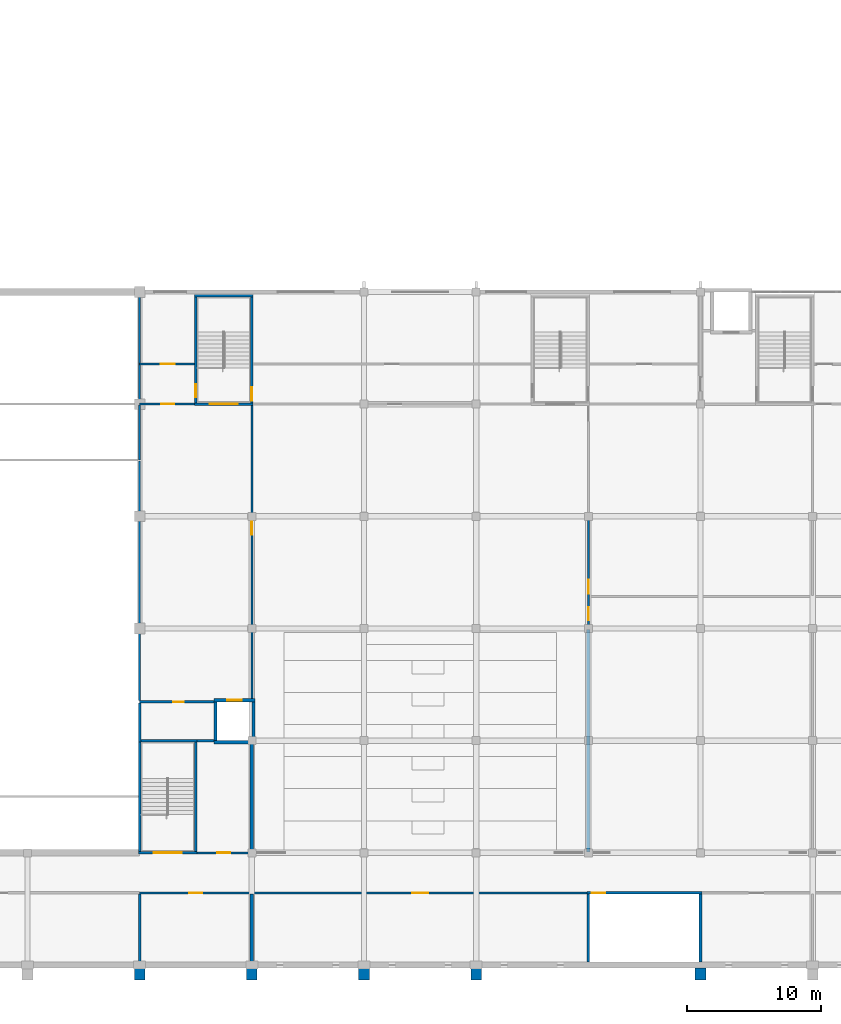
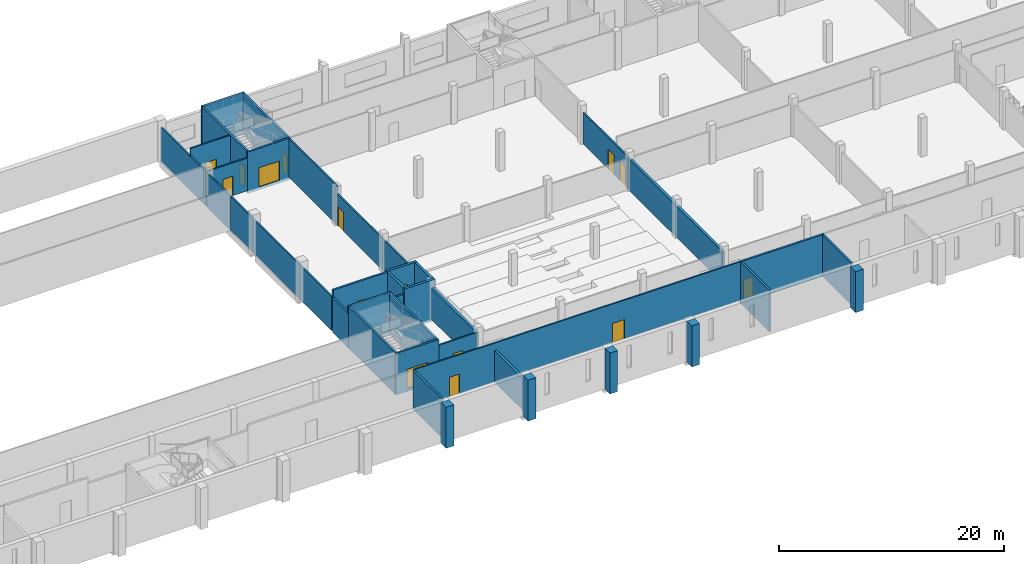
# One storey, part 22 of 56: 37 walls, 15 doors, 15 openings.
"""IFC4 building model written with IfcOpenShell, lengths in metres."""

from ifc_helpers import new_model, si_unit, direction, frame, frame_2d, origin, place, context, subcontext, project, spatial, rectangle, extrude, material, layer, layer_set, type_object, element, fill, save


model = new_model("IFC4")

# Units and contexts
model_context = context("Model", 3, precision=1e-05, world=origin(), true_north=direction((0.0, 1.0)))
body_context = subcontext(model_context, "Body", "Model", "MODEL_VIEW")
ifc_project = project(units=[si_unit("LENGTHUNIT", "METRE"), si_unit("AREAUNIT", "SQUARE_METRE"), si_unit("VOLUMEUNIT", "CUBIC_METRE"), si_unit("PLANEANGLEUNIT", "RADIAN"), si_unit("MASSUNIT", "GRAM", prefix="KILO")], contexts=[model_context])

# Site, building, storey
site_placement = place(None, origin())
site = spatial("IfcSite", under=ifc_project, at=site_placement, CompositionType="ELEMENT")
building_placement = place(site_placement, origin())
building = spatial("IfcBuilding", under=site, at=building_placement, Name="Rulbaag Community and Learning Centre", CompositionType="ELEMENT")
storey_placement = place(building_placement, frame((0.0, 0.0, 9.89990234375)))
storey = spatial("IfcBuildingStorey", under=building, at=storey_placement, Name="L02", CompositionType="ELEMENT", Elevation=9.89990234375)

# Walls
ifc_material_1 = material(Name="Concrete M30", Category="concrete")
ifc_layer_1 = layer(ifc_material_1, 0.25)
ifc_layer_set_1 = layer_set([ifc_layer_1], Name="CW-250 COMPARTMENT WALL 250")
wall_type_1 = type_object("IfcWallType", Name="CW-250 COMPARTMENT WALL 250", PredefinedType="SOLIDWALL", material=ifc_layer_set_1)
wall_1_placement = place(storey_placement, frame((92.39990234375, 0.22509765625, 0.0), z_axis=(0.0, 0.0, 1.0), x_axis=(0.0, 1.0, 0.0)))
element("IfcWall", 1, at=wall_1_placement, inside=storey, type_object=wall_type_1, Name="Fire wall L02 58", PredefinedType="SOLIDWALL", context=body_context, shape_type="SweptSolid", body=[
    extrude(rectangle(XDim=5.099853515625, YDim=0.25, at=frame_2d((2.5498046875, 0.0))), origin(), (0.0, 0.0, 1.0), 3.400146484375),
])
wall_2_placement = place(storey_placement, frame((92.39990234375, 8.47509765625, 0.0), z_axis=(0.0, 0.0, 1.0), x_axis=(0.0, 1.0, 0.0)))
element("IfcWall", 2, at=wall_2_placement, inside=storey, type_object=wall_type_1, Name="Fire wall L02 59", PredefinedType="SOLIDWALL", context=body_context, shape_type="SweptSolid", body=[
    extrude(rectangle(XDim=8.324951171875, YDim=0.25, at=frame_2d((4.16259765625, 0.0))), origin(), (0.0, 0.0, 1.0), 3.400146484375),
])
wall_3_placement = place(storey_placement, frame((117.60009765625, 8.47509765625, 0.0), z_axis=(0.0, 0.0, 1.0), x_axis=(0.0, 1.0, 0.0)))
element("IfcWall", 3, at=wall_3_placement, inside=storey, type_object=wall_type_1, Name="Fire wall L02 63", PredefinedType="SOLIDWALL", context=body_context, shape_type="SweptSolid", body=[
    extrude(rectangle(XDim=16.64990234375, YDim=0.25, at=frame_2d((8.324951171875, 0.0))), origin(), (0.0, 0.0, 1.0), 3.400146484375),
])
ifc_material_2 = material(Name="Concrete M40", Category="concrete")
ifc_layer_2 = layer(ifc_material_2, 0.800048828125)
ifc_layer_set_2 = layer_set([ifc_layer_2], Name="EW-BTR")
wall_type_2 = type_object("IfcWallType", Name="EW-BTR", PredefinedType="SOLIDWALL", material=ifc_layer_set_2)
for number, where, z_axis, x_axis, name in (
    (4, (84.0, -0.22509765625, -0.25), (0.0, 0.0, 1.0), (0.0, -1.0, 0.0), "Buttress pier"),
    (5, (92.39990234375, -0.22509765625, -0.25), (0.0, 0.0, 1.0), (0.0, -1.0, 0.0), "Buttress pier"),
    (6, (100.800048828125, -0.22509765625, -0.25), (0.0, 0.0, 1.0), (0.0, -1.0, 0.0), "Buttress pier"),
    (7, (109.199951171875, -0.22509765625, -0.25), (0.0, 0.0, 1.0), (0.0, -1.0, 0.0), "Buttress pier"),
    (8, (126.0, -0.22509765625, -0.25), (0.0, 0.0, 1.0), (0.0, -1.0, 0.0), "Buttress pier"),
):
    element("IfcWall", number, at=place(storey_placement, frame(where, z_axis=z_axis, x_axis=x_axis)), inside=storey, type_object=wall_type_2, Name=name, PredefinedType="SOLIDWALL", context=body_context, shape_type="SweptSolid", body=[
        extrude(rectangle(XDim=0.89990234375, YDim=0.800048828125, at=frame_2d((0.449951171875, 0.0))), origin(), (0.0, 0.0, 1.0), 4.4501953125),
    ])
ifc_material_3 = material(Name="Concrete blockwork", Category="masonry")
ifc_layer_3 = layer(ifc_material_3, 0.199951171875)
ifc_layer_set_3 = layer_set([ifc_layer_3], Name="FW-200 FIRE WALL 200")
wall_type_3 = type_object("IfcWallType", Name="FW-200 FIRE WALL 200", PredefinedType="SOLIDWALL", material=ifc_layer_set_3)
wall_4_placement = place(storey_placement, frame((84.0, 16.699951171875, -0.2998046875), z_axis=(0.0, 0.0, 1.0), x_axis=(0.0, 1.0, 0.0)))
element("IfcWall", 9, at=wall_4_placement, inside=storey, type_object=wall_type_3, Name="Fire wall L02 73", PredefinedType="SOLIDWALL", context=body_context, shape_type="SweptSolid", body=[
    extrude(rectangle(XDim=2.900146484375, YDim=0.199951171875, at=frame_2d((1.4501953125, 0.0))), origin(), (0.0, 0.0, 1.0), 3.699951171875),
])
wall_5_placement = place(storey_placement, frame((88.300048828125, 16.800048828125, 0.0), z_axis=(0.0, 0.0, 1.0), x_axis=(1.0, 0.0, 0.0)))
element("IfcWall", 10, at=wall_5_placement, inside=storey, type_object=wall_type_3, Name="Fire wall L02 11", PredefinedType="SOLIDWALL", context=body_context, shape_type="SweptSolid", body=[
    extrude(rectangle(XDim=1.25, YDim=0.199951171875, at=frame_2d((0.625, 0.0))), origin(), (0.0, 0.0, 1.0), 3.550048828125),
])

# Wall, opening, door
wall_6_placement = place(storey_placement, frame((84.0, 19.699951171875, 0.0), z_axis=(0.0, 0.0, 1.0), x_axis=(1.0, 0.0, 0.0)))
wall_6 = element("IfcWall", 11, at=wall_6_placement, inside=storey, type_object=wall_type_3, Name="Fire wall L02 14", PredefinedType="SOLIDWALL", context=body_context, shape_type="SweptSolid", body=[
    extrude(rectangle(XDim=5.550048828125, YDim=0.199951171875, at=frame_2d((2.77490234375, 0.0))), origin(), (0.0, 0.0, 1.0), 4.2001953125),
])
opening_1_placement = place(wall_6_placement, frame((2.5, 0.0, 0.0)))
opening_1 = element("IfcOpeningElement", 12, at=opening_1_placement, cuts=wall_6, Name="Opening L02-D047", PredefinedType="OPENING", context=body_context, shape_type="SweptSolid", body=[
    extrude(rectangle(XDim=0.800048828125, YDim=2.10009765625, at=frame_2d((0.39990234375, 1.050048828125))), frame((0.0, 0.10986328125, 0.0), z_axis=(0.0, -1.0, 0.0), x_axis=(1.0, 0.0, 0.0)), (0.0, 0.0, 1.0), 0.219970703125),
])
ifc_material_4 = material(Name="Galvanised steel", Category="steel")
door_type_1 = type_object("IfcDoorType", Name="FDR-800 RISER FIRE DOOR 800 x 2100", OperationType="SINGLE_SWING_LEFT", PredefinedType="DOOR", material=ifc_material_4)
door_1_placement = place(opening_1_placement, origin())
door_1 = element("IfcDoor", 13, at=door_1_placement, inside=storey, type_object=door_type_1, Name="Riser door L02-D044", OperationType="SINGLE_SWING_RIGHT", OverallHeight=2.10009765625, OverallWidth=0.800048828125, PredefinedType="DOOR", context=body_context, shape_type="SweptSolid", body=[
    extrude(rectangle(XDim=0.800048828125, YDim=2.10009765625, at=frame_2d((0.39990234375, 1.050048828125))), frame((0.0, 0.02490234375, 0.0), z_axis=(0.0, -1.0, 0.0), x_axis=(1.0, 0.0, 0.0)), (0.0, 0.0, 1.0), 0.050048828125),
])
fill(opening_1, door_1)

# Walls
wall_7_placement = place(storey_placement, frame((84.0, 0.22509765625, 0.0), z_axis=(0.0, 0.0, 1.0), x_axis=(0.0, 1.0, 0.0)))
element("IfcWall", 14, at=wall_7_placement, inside=storey, type_object=wall_type_3, Name="Fire wall L02 56", PredefinedType="SOLIDWALL", context=body_context, shape_type="SweptSolid", body=[
    extrude(rectangle(XDim=5.074951171875, YDim=0.199951171875, at=frame_2d((2.53759765625, 0.0))), origin(), (0.0, 0.0, 1.0), 4.2001953125),
])
ifc_layer_4 = layer(ifc_material_3, 0.14990234375)
ifc_layer_set_4 = layer_set([ifc_layer_4], Name="IP-150 PARTITION 150")
wall_type_4 = type_object("IfcWallType", Name="IP-150 PARTITION 150", PredefinedType="PARTITIONING", material=ifc_layer_set_4)
wall_8_placement = place(storey_placement, frame((84.0, 19.800048828125, -0.2998046875), z_axis=(0.0, 0.0, 1.0), x_axis=(0.0, 1.0, 0.0)))
element("IfcWall", 15, at=wall_8_placement, inside=storey, type_object=wall_type_4, Name="Partition L02 74", PredefinedType="PARTITIONING", context=body_context, shape_type="SweptSolid", body=[
    extrude(rectangle(XDim=17.925048828125, YDim=0.14990234375, at=frame_2d((8.96240234375, 0.0))), origin(), (0.0, 0.0, 1.0), 3.699951171875),
])
wall_9_placement = place(storey_placement, frame((84.0, 42.074951171875, -0.2998046875), z_axis=(0.0, 0.0, 1.0), x_axis=(0.0, 1.0, 0.0)))
element("IfcWall", 16, at=wall_9_placement, inside=storey, type_object=wall_type_4, Name="Partition L02 76", PredefinedType="PARTITIONING", context=body_context, shape_type="SweptSolid", body=[
    extrude(rectangle(XDim=8.074951171875, YDim=0.14990234375, at=frame_2d((4.03759765625, 0.0))), origin(), (0.0, 0.0, 1.0), 3.699951171875),
])
wall_10_placement = place(storey_placement, frame((84.0, 37.800048828125, -0.2998046875), z_axis=(0.0, 0.0, 1.0), x_axis=(0.0, 1.0, 0.0)))
element("IfcWall", 17, at=wall_10_placement, inside=storey, type_object=wall_type_4, Name="Partition L02 59", PredefinedType="PARTITIONING", context=body_context, shape_type="SweptSolid", body=[
    extrude(rectangle(XDim=4.125, YDim=0.14990234375, at=frame_2d((2.0625, 0.0))), origin(), (0.0, 0.0, 1.0), 3.699951171875),
])

# Wall, openings, doors
wall_11_placement = place(storey_placement, frame((84.0, 5.39990234375, 0.0), z_axis=(0.0, 0.0, 1.0), x_axis=(1.0, 0.0, 0.0)))
wall_11 = element("IfcWall", 18, at=wall_11_placement, inside=storey, type_object=wall_type_4, Name="Partition L02 5", PredefinedType="PARTITIONING", context=body_context, shape_type="SweptSolid", body=[
    extrude(rectangle(XDim=33.5, YDim=0.14990234375, at=frame_2d((16.75, 0.0))), origin(), (0.0, 0.0, 1.0), 4.2001953125),
])
opening_2_placement = place(wall_11_placement, frame((3.699951171875, 0.0, 0.0)))
opening_2 = element("IfcOpeningElement", 19, at=opening_2_placement, cuts=wall_11, Name="Opening L02-D048", PredefinedType="OPENING", context=body_context, shape_type="SweptSolid", body=[
    extrude(rectangle(XDim=1.0, YDim=2.10009765625, at=frame_2d((0.5, 1.050048828125))), frame((0.0, 0.0849609375, 0.0), z_axis=(0.0, -1.0, 0.0), x_axis=(1.0, 0.0, 0.0)), (0.0, 0.0, 1.0), 0.169921875),
])
opening_3_placement = place(wall_11_placement, frame((20.39990234375, 0.0, 0.0)))
opening_3 = element("IfcOpeningElement", 20, at=opening_3_placement, cuts=wall_11, Name="Opening L02-D058", PredefinedType="OPENING", context=body_context, shape_type="SweptSolid", body=[
    extrude(rectangle(XDim=1.199951171875, YDim=2.10009765625, at=frame_2d((0.60009765625, 1.050048828125))), frame((0.0, 0.0849609375, 0.0), z_axis=(0.0, -1.0, 0.0), x_axis=(1.0, 0.0, 0.0)), (0.0, 0.0, 1.0), 0.169921875),
])
ifc_material_5 = material(Name="Timber", Category="wood")
door_type_2 = type_object("IfcDoorType", Name="D-1000 DOOR 1000 x 2100", OperationType="SINGLE_SWING_LEFT", PredefinedType="DOOR", material=ifc_material_5)
door_2_placement = place(opening_2_placement, origin())
door_2 = element("IfcDoor", 21, at=door_2_placement, inside=storey, type_object=door_type_2, Name="Door L02-D048", OperationType="SINGLE_SWING_LEFT", OverallHeight=2.10009765625, OverallWidth=1.0, PredefinedType="DOOR", context=body_context, shape_type="SweptSolid", body=[
    extrude(rectangle(XDim=1.0, YDim=2.10009765625, at=frame_2d((0.5, 1.050048828125))), frame((0.0, 0.02490234375, 0.0), z_axis=(0.0, -1.0, 0.0), x_axis=(1.0, 0.0, 0.0)), (0.0, 0.0, 1.0), 0.050048828125),
])
fill(opening_2, door_2)
door_type_3 = type_object("IfcDoorType", Name="DC-1200 CLASSROOM DOOR 1200 x 2100", OperationType="SINGLE_SWING_LEFT", PredefinedType="DOOR", material=ifc_material_5)
door_3_placement = place(opening_3_placement, origin())
door_3 = element("IfcDoor", 22, at=door_3_placement, inside=storey, type_object=door_type_3, Name="Door L02-D058", OperationType="SINGLE_SWING_RIGHT", OverallHeight=2.10009765625, OverallWidth=1.199951171875, PredefinedType="DOOR", context=body_context, shape_type="SweptSolid", body=[
    extrude(rectangle(XDim=1.199951171875, YDim=2.10009765625, at=frame_2d((0.60009765625, 1.050048828125))), frame((0.0, 0.02490234375, 0.0), z_axis=(0.0, -1.0, 0.0), x_axis=(1.0, 0.0, 0.0)), (0.0, 0.0, 1.0), 0.050048828125),
])
fill(opening_3, door_3)

# Wall, opening, door
wall_12_placement = place(storey_placement, frame((88.300048828125, 8.39990234375, 0.0), z_axis=(0.0, 0.0, 1.0), x_axis=(1.0, 0.0, 0.0)))
wall_12 = element("IfcWall", 23, at=wall_12_placement, inside=storey, type_object=wall_type_4, Name="Partition L02 8", PredefinedType="PARTITIONING", context=body_context, shape_type="SweptSolid", body=[
    extrude(rectangle(XDim=3.89990234375, YDim=0.14990234375, at=frame_2d((1.949951171875, 0.0))), origin(), (0.0, 0.0, 1.0), 3.550048828125),
])
opening_4_placement = place(wall_12_placement, frame((1.5, 0.0, 0.0)))
opening_4 = element("IfcOpeningElement", 24, at=opening_4_placement, cuts=wall_12, Name="Opening L02-D050", PredefinedType="OPENING", context=body_context, shape_type="SweptSolid", body=[
    extrude(rectangle(XDim=1.0, YDim=2.10009765625, at=frame_2d((0.5, 1.050048828125))), frame((0.0, 0.0849609375, 0.0), z_axis=(0.0, -1.0, 0.0), x_axis=(1.0, 0.0, 0.0)), (0.0, 0.0, 1.0), 0.169921875),
])
door_4_placement = place(opening_4_placement, origin())
door_4 = element("IfcDoor", 25, at=door_4_placement, inside=storey, type_object=door_type_2, Name="Door L02-D050", OperationType="SINGLE_SWING_RIGHT", OverallHeight=2.10009765625, OverallWidth=1.0, PredefinedType="DOOR", context=body_context, shape_type="SweptSolid", body=[
    extrude(rectangle(XDim=1.0, YDim=2.10009765625, at=frame_2d((0.5, 1.050048828125))), frame((0.0, 0.02490234375, 0.0), z_axis=(0.0, -1.0, 0.0), x_axis=(1.0, 0.0, 0.0)), (0.0, 0.0, 1.0), 0.050048828125),
])
fill(opening_4, door_4)

wall_13_placement = place(storey_placement, frame((84.0, 42.0, 0.0), z_axis=(0.0, 0.0, 1.0), x_axis=(1.0, 0.0, 0.0)))
wall_13 = element("IfcWall", 26, at=wall_13_placement, inside=storey, type_object=wall_type_4, Name="Partition L02 25", PredefinedType="PARTITIONING", context=body_context, shape_type="SweptSolid", body=[
    extrude(rectangle(XDim=4.10009765625, YDim=0.14990234375, at=frame_2d((2.050048828125, 0.0))), origin(), (0.0, 0.0, 1.0), 3.550048828125),
])
opening_5_placement = place(wall_13_placement, frame((1.60009765625, 0.0, 0.0)))
opening_5 = element("IfcOpeningElement", 27, at=opening_5_placement, cuts=wall_13, Name="Opening L02-D045", PredefinedType="OPENING", context=body_context, shape_type="SweptSolid", body=[
    extrude(rectangle(XDim=1.0, YDim=2.10009765625, at=frame_2d((0.5, 1.050048828125))), frame((0.0, 0.0849609375, 0.0), z_axis=(0.0, -1.0, 0.0), x_axis=(1.0, 0.0, 0.0)), (0.0, 0.0, 1.0), 0.169921875),
])
door_5_placement = place(opening_5_placement, origin())
door_5 = element("IfcDoor", 28, at=door_5_placement, inside=storey, type_object=door_type_2, Name="Door L02-D045", OperationType="SINGLE_SWING_RIGHT", OverallHeight=2.10009765625, OverallWidth=1.0, PredefinedType="DOOR", context=body_context, shape_type="SweptSolid", body=[
    extrude(rectangle(XDim=1.0, YDim=2.10009765625, at=frame_2d((0.5, 1.050048828125))), frame((0.0, 0.02490234375, 0.0), z_axis=(0.0, -1.0, 0.0), x_axis=(1.0, 0.0, 0.0)), (0.0, 0.0, 1.0), 0.050048828125),
])
fill(opening_5, door_5)

wall_14_placement = place(storey_placement, frame((84.0, 45.0, 0.0), z_axis=(0.0, 0.0, 1.0), x_axis=(1.0, 0.0, 0.0)))
wall_14 = element("IfcWall", 29, at=wall_14_placement, inside=storey, type_object=wall_type_4, Name="Partition L02 32", PredefinedType="PARTITIONING", context=body_context, shape_type="SweptSolid", body=[
    extrude(rectangle(XDim=4.10009765625, YDim=0.14990234375, at=frame_2d((2.050048828125, 0.0))), origin(), (0.0, 0.0, 1.0), 4.2001953125),
])
opening_6_placement = place(wall_14_placement, frame((1.574951171875, 0.0, 0.0)))
opening_6 = element("IfcOpeningElement", 30, at=opening_6_placement, cuts=wall_14, Name="Opening L02-D046", PredefinedType="OPENING", context=body_context, shape_type="SweptSolid", body=[
    extrude(rectangle(XDim=1.050048828125, YDim=2.10009765625, at=frame_2d((0.52490234375, 1.050048828125))), frame((0.0, 0.0849609375, 0.0), z_axis=(0.0, -1.0, 0.0), x_axis=(1.0, 0.0, 0.0)), (0.0, 0.0, 1.0), 0.169921875),
])
door_type_4 = type_object("IfcDoorType", Name="D-1050 GLAZED MEETING ROOM DOOR 1050 x 2100", OperationType="SINGLE_SWING_LEFT", PredefinedType="DOOR", material=ifc_material_5)
door_6_placement = place(opening_6_placement, origin())
door_6 = element("IfcDoor", 31, at=door_6_placement, inside=storey, type_object=door_type_4, Name="Door L02-D046", OperationType="SINGLE_SWING_LEFT", OverallHeight=2.10009765625, OverallWidth=1.050048828125, PredefinedType="DOOR", context=body_context, shape_type="SweptSolid", body=[
    extrude(rectangle(XDim=1.050048828125, YDim=2.10009765625, at=frame_2d((0.52490234375, 1.050048828125))), frame((0.0, 0.02490234375, 0.0), z_axis=(0.0, -1.0, 0.0), x_axis=(1.0, 0.0, 0.0)), (0.0, 0.0, 1.0), 0.050048828125),
])
fill(opening_6, door_6)

wall_15_placement = place(storey_placement, frame((92.39990234375, 19.699951171875, 0.0), z_axis=(0.0, 0.0, 1.0), x_axis=(0.0, 1.0, 0.0)))
wall_15 = element("IfcWall", 32, at=wall_15_placement, inside=storey, type_object=wall_type_4, Name="Partition L02 60", PredefinedType="PARTITIONING", context=body_context, shape_type="SweptSolid", body=[
    extrude(rectangle(XDim=13.6201171875, YDim=0.14990234375, at=frame_2d((6.81005859375, 0.0))), origin(), (0.0, 0.0, 1.0), 3.400146484375),
])
opening_7_placement = place(wall_15_placement, frame((12.5, 0.0, 0.0)))
opening_7 = element("IfcOpeningElement", 33, at=opening_7_placement, cuts=wall_15, Name="Opening L02-D053", PredefinedType="OPENING", context=body_context, shape_type="SweptSolid", body=[
    extrude(rectangle(XDim=1.0, YDim=2.10009765625, at=frame_2d((0.5, 1.050048828125))), frame((0.0, 0.0849609375, 0.0), z_axis=(0.0, -1.0, 0.0), x_axis=(1.0, 0.0, 0.0)), (0.0, 0.0, 1.0), 0.169921875),
])
door_7_placement = place(opening_7_placement, origin())
door_7 = element("IfcDoor", 34, at=door_7_placement, inside=storey, type_object=door_type_2, Name="Door L02-D053", OperationType="SINGLE_SWING_RIGHT", OverallHeight=2.10009765625, OverallWidth=1.0, PredefinedType="DOOR", context=body_context, shape_type="SweptSolid", body=[
    extrude(rectangle(XDim=1.0, YDim=2.10009765625, at=frame_2d((0.5, 1.050048828125))), frame((0.0, 0.02490234375, 0.0), z_axis=(0.0, -1.0, 0.0), x_axis=(1.0, 0.0, 0.0)), (0.0, 0.0, 1.0), 0.050048828125),
])
fill(opening_7, door_7)

# Wall
wall_16_placement = place(storey_placement, frame((92.39990234375, 33.320068359375, 0.0), z_axis=(0.0, 0.0, 1.0), x_axis=(0.0, 1.0, 0.0)))
element("IfcWall", 35, at=wall_16_placement, inside=storey, type_object=wall_type_4, Name="Partition L02 60.2", PredefinedType="PARTITIONING", context=body_context, shape_type="SweptSolid", body=[
    extrude(rectangle(XDim=8.780029296875, YDim=0.14990234375, at=frame_2d((4.39013671875, 0.0))), origin(), (0.0, 0.0, 1.0), 4.2001953125),
])

# Wall, openings, doors
wall_17_placement = place(storey_placement, frame((117.60009765625, 25.27490234375, 0.0), z_axis=(0.0, 0.0, 1.0), x_axis=(0.0, 1.0, 0.0)))
wall_17 = element("IfcWall", 36, at=wall_17_placement, inside=storey, type_object=wall_type_4, Name="Partition L02 64", PredefinedType="PARTITIONING", context=body_context, shape_type="SweptSolid", body=[
    extrude(rectangle(XDim=8.045166015625, YDim=0.14990234375, at=frame_2d((4.0224609375, 0.0))), origin(), (0.0, 0.0, 1.0), 3.400146484375),
])
opening_8_placement = place(wall_17_placement, frame((2.52490234375, 0.0, 0.0)))
opening_8 = element("IfcOpeningElement", 37, at=opening_8_placement, cuts=wall_17, Name="Opening L02-D063", PredefinedType="OPENING", context=body_context, shape_type="SweptSolid", body=[
    extrude(rectangle(XDim=1.050048828125, YDim=2.10009765625, at=frame_2d((0.52490234375, 1.050048828125))), frame((0.0, 0.0849609375, 0.0), z_axis=(0.0, -1.0, 0.0), x_axis=(1.0, 0.0, 0.0)), (0.0, 0.0, 1.0), 0.169921875),
])
opening_9_placement = place(wall_17_placement, frame((0.52490234375, 0.0, 0.0)))
opening_9 = element("IfcOpeningElement", 38, at=opening_9_placement, cuts=wall_17, Name="Opening L02-D062", PredefinedType="OPENING", context=body_context, shape_type="SweptSolid", body=[
    extrude(rectangle(XDim=1.0, YDim=2.10009765625, at=frame_2d((0.5, 1.050048828125))), frame((0.0, 0.0849609375, 0.0), z_axis=(0.0, -1.0, 0.0), x_axis=(1.0, 0.0, 0.0)), (0.0, 0.0, 1.0), 0.169921875),
])
door_8_placement = place(opening_9_placement, origin())
door_8 = element("IfcDoor", 39, at=door_8_placement, inside=storey, type_object=door_type_2, Name="Door L02-D062", OperationType="SINGLE_SWING_LEFT", OverallHeight=2.10009765625, OverallWidth=1.0, PredefinedType="DOOR", context=body_context, shape_type="SweptSolid", body=[
    extrude(rectangle(XDim=1.0, YDim=2.10009765625, at=frame_2d((0.5, 1.050048828125))), frame((0.0, 0.02490234375, 0.0), z_axis=(0.0, -1.0, 0.0), x_axis=(1.0, 0.0, 0.0)), (0.0, 0.0, 1.0), 0.050048828125),
])
fill(opening_9, door_8)
door_9_placement = place(opening_8_placement, origin())
door_9 = element("IfcDoor", 40, at=door_9_placement, inside=storey, type_object=door_type_4, Name="Door L02-D063", OperationType="SINGLE_SWING_RIGHT", OverallHeight=2.10009765625, OverallWidth=1.050048828125, PredefinedType="DOOR", context=body_context, shape_type="SweptSolid", body=[
    extrude(rectangle(XDim=1.050048828125, YDim=2.10009765625, at=frame_2d((0.52490234375, 1.050048828125))), frame((0.0, 0.02490234375, 0.0), z_axis=(0.0, -1.0, 0.0), x_axis=(1.0, 0.0, 0.0)), (0.0, 0.0, 1.0), 0.050048828125),
])
fill(opening_8, door_9)

# Wall
ifc_layer_5 = layer(ifc_material_2, 0.25)
ifc_layer_set_5 = layer_set([ifc_layer_5], Name="W8 Lift shaft wall 250 Concrete M40")
wall_type_5 = type_object("IfcWallType", Name="W8 Lift shaft wall 250 Concrete M40", PredefinedType="SHEAR", material=ifc_layer_set_5)
wall_18_placement = place(storey_placement, frame((89.550048828125, 16.675048828125, -0.25), z_axis=(0.0, 0.0, 1.0), x_axis=(1.0, 0.0, 0.0)))
element("IfcWall", 41, at=wall_18_placement, inside=storey, type_object=wall_type_5, Name="WL-LH2-S-L02", PredefinedType="SHEAR", context=body_context, shape_type="SweptSolid", body=[
    extrude(rectangle(XDim=3.099853515625, YDim=0.25, at=frame_2d((1.5498046875, 0.0))), origin(), (0.0, 0.0, 1.0), 4.4501953125),
])

# Wall, opening, door
wall_19_placement = place(storey_placement, frame((89.550048828125, 19.824951171875, -0.25), z_axis=(0.0, 0.0, 1.0), x_axis=(1.0, 0.0, 0.0)))
wall_19 = element("IfcWall", 42, at=wall_19_placement, inside=storey, type_object=wall_type_5, Name="WL-LH2-N-L02", PredefinedType="SHEAR", context=body_context, shape_type="SweptSolid", body=[
    extrude(rectangle(XDim=3.099853515625, YDim=0.25, at=frame_2d((1.5498046875, 0.0))), origin(), (0.0, 0.0, 1.0), 4.4501953125),
])
opening_10_placement = place(wall_19_placement, frame((1.0, 0.0, 0.25)))
opening_10 = element("IfcOpeningElement", 43, at=opening_10_placement, cuts=wall_19, Name="Opening L02-D052", PredefinedType="OPENING", context=body_context, shape_type="SweptSolid", body=[
    extrude(rectangle(XDim=1.10009765625, YDim=2.10009765625, at=frame_2d((0.550048828125, 1.050048828125))), frame((0.0, 0.135009765625, 0.0), z_axis=(0.0, -1.0, 0.0), x_axis=(1.0, 0.0, 0.0)), (0.0, 0.0, 1.0), 0.27001953125),
])
ifc_material_6 = material(Name="Stainless steel grade 304", Category="steel")
door_type_5 = type_object("IfcDoorType", Name="LD-1100 LIFT LANDING DOOR 1100 x 2100", OperationType="SLIDING_TO_LEFT", PredefinedType="DOOR", material=ifc_material_6)
door_10_placement = place(opening_10_placement, origin())
door_10 = element("IfcDoor", 44, at=door_10_placement, inside=storey, type_object=door_type_5, Name="Lift landing door LH2 L02", OperationType="SLIDING_TO_LEFT", OverallHeight=2.10009765625, OverallWidth=1.10009765625, PredefinedType="DOOR", context=body_context, shape_type="SweptSolid", body=[
    extrude(rectangle(XDim=1.10009765625, YDim=2.10009765625, at=frame_2d((0.550048828125, 1.050048828125))), frame((0.0, 0.02490234375, 0.0), z_axis=(0.0, -1.0, 0.0), x_axis=(1.0, 0.0, 0.0)), (0.0, 0.0, 1.0), 0.050048828125),
])
fill(opening_10, door_10)

# Walls
for number, where, z_axis, x_axis, name in (
    (45, (89.675048828125, 16.800048828125, -0.25), (0.0, 0.0, 1.0), (0.0, 1.0, 0.0), "WL-LH2-W-L02"),
    (46, (92.52490234375, 16.800048828125, -0.25), (0.0, 0.0, 1.0), (0.0, 1.0, 0.0), "WL-LH2-E-L02"),
):
    element("IfcWall", number, at=place(storey_placement, frame(where, z_axis=z_axis, x_axis=x_axis)), inside=storey, type_object=wall_type_5, Name=name, PredefinedType="SHEAR", context=body_context, shape_type="SweptSolid", body=[
        extrude(rectangle(XDim=2.89990234375, YDim=0.25, at=frame_2d((1.449951171875, 0.0))), origin(), (0.0, 0.0, 1.0), 4.4501953125),
    ])

# Wall, opening, door
ifc_layer_6 = layer(ifc_material_2, 0.199951171875)
ifc_layer_set_6 = layer_set([ifc_layer_6], Name="WSE Stair enclosure wall 200 Concrete M40")
wall_type_6 = type_object("IfcWallType", Name="WSE Stair enclosure wall 200 Concrete M40", PredefinedType="SHEAR", material=ifc_layer_set_6)
wall_20_placement = place(storey_placement, frame((83.89990234375, 8.39990234375, -0.2998046875), z_axis=(0.0, 0.0, 1.0), x_axis=(1.0, 0.0, 0.0)))
wall_20 = element("IfcWall", 47, at=wall_20_placement, inside=storey, type_object=wall_type_6, Name="Stair enclosure wall SH2 S L02", PredefinedType="SHEAR", context=body_context, shape_type="SweptSolid", body=[
    extrude(rectangle(XDim=4.400146484375, YDim=0.199951171875, at=frame_2d((2.2001953125, 0.0))), origin(), (0.0, 0.0, 1.0), 4.5),
])
opening_11_placement = place(wall_20_placement, frame((1.14990234375, 0.0, 0.300048828125)))
opening_11 = element("IfcOpeningElement", 48, at=opening_11_placement, cuts=wall_20, Name="Opening L02-D044", PredefinedType="OPENING", context=body_context, shape_type="SweptSolid", body=[
    extrude(rectangle(XDim=2.10009765625, YDim=2.10009765625, at=frame_2d((1.050048828125, 1.050048828125))), frame((0.0, 0.10986328125, 0.0), z_axis=(0.0, -1.0, 0.0), x_axis=(1.0, 0.0, 0.0)), (0.0, 0.0, 1.0), 0.219970703125),
])
door_type_6 = type_object("IfcDoorType", Name="FD-2100 FIRE DOOR 2100 x 2100", OperationType="DOUBLE_DOOR_SINGLE_SWING", PredefinedType="DOOR", material=ifc_material_4)
door_11_placement = place(opening_11_placement, origin())
door_11 = element("IfcDoor", 49, at=door_11_placement, inside=storey, type_object=door_type_6, Name="Door L02-D044", OperationType="DOUBLE_DOOR_SINGLE_SWING", OverallHeight=2.10009765625, OverallWidth=2.10009765625, PredefinedType="DOOR", context=body_context, shape_type="SweptSolid", body=[
    extrude(rectangle(XDim=2.10009765625, YDim=2.10009765625, at=frame_2d((1.050048828125, 1.050048828125))), frame((0.0, 0.02490234375, 0.0), z_axis=(0.0, -1.0, 0.0), x_axis=(1.0, 0.0, 0.0)), (0.0, 0.0, 1.0), 0.050048828125),
])
fill(opening_11, door_11)

# Walls
wall_21_placement = place(storey_placement, frame((83.89990234375, 16.800048828125, -0.2998046875), z_axis=(0.0, 0.0, 1.0), x_axis=(1.0, 0.0, 0.0)))
element("IfcWall", 50, at=wall_21_placement, inside=storey, type_object=wall_type_6, Name="Stair enclosure wall SH2 N L02", PredefinedType="SHEAR", context=body_context, shape_type="SweptSolid", body=[
    extrude(rectangle(XDim=4.400146484375, YDim=0.199951171875, at=frame_2d((2.2001953125, 0.0))), origin(), (0.0, 0.0, 1.0), 4.5),
])
for number, where, z_axis, x_axis, name in (
    (51, (84.0, 8.5, -0.2998046875), (0.0, 0.0, 1.0), (0.0, 1.0, 0.0), "Stair enclosure wall SH2 W L02"),
    (52, (88.199951171875, 8.5, -0.2998046875), (0.0, 0.0, 1.0), (0.0, 1.0, 0.0), "Stair enclosure wall SH2 E L02"),
):
    element("IfcWall", number, at=place(storey_placement, frame(where, z_axis=z_axis, x_axis=x_axis)), inside=storey, type_object=wall_type_6, Name=name, PredefinedType="SHEAR", context=body_context, shape_type="SweptSolid", body=[
        extrude(rectangle(XDim=8.199951171875, YDim=0.199951171875, at=frame_2d((4.10009765625, 0.0))), origin(), (0.0, 0.0, 1.0), 4.5),
    ])

# Wall, opening, door
wall_22_placement = place(storey_placement, frame((88.10009765625, 42.0, -0.2998046875), z_axis=(0.0, 0.0, 1.0), x_axis=(1.0, 0.0, 0.0)))
wall_22 = element("IfcWall", 53, at=wall_22_placement, inside=storey, type_object=wall_type_6, Name="Stair enclosure wall SH6 S L02", PredefinedType="SHEAR", context=body_context, shape_type="SweptSolid", body=[
    extrude(rectangle(XDim=4.39990234375, YDim=0.199951171875, at=frame_2d((2.199951171875, 0.0))), origin(), (0.0, 0.0, 1.0), 4.5),
])
opening_12_placement = place(wall_22_placement, frame((1.14990234375, 0.0, 0.300048828125)))
opening_12 = element("IfcOpeningElement", 54, at=opening_12_placement, cuts=wall_22, Name="Opening L02-D051", PredefinedType="OPENING", context=body_context, shape_type="SweptSolid", body=[
    extrude(rectangle(XDim=2.10009765625, YDim=2.10009765625, at=frame_2d((1.050048828125, 1.050048828125))), frame((0.0, 0.10986328125, 0.0), z_axis=(0.0, -1.0, 0.0), x_axis=(1.0, 0.0, 0.0)), (0.0, 0.0, 1.0), 0.219970703125),
])
door_12_placement = place(opening_12_placement, origin())
door_12 = element("IfcDoor", 55, at=door_12_placement, inside=storey, type_object=door_type_6, Name="Door L02-D051", OperationType="DOUBLE_DOOR_SINGLE_SWING", OverallHeight=2.10009765625, OverallWidth=2.10009765625, PredefinedType="DOOR", context=body_context, shape_type="SweptSolid", body=[
    extrude(rectangle(XDim=2.10009765625, YDim=2.10009765625, at=frame_2d((1.050048828125, 1.050048828125))), frame((0.0, 0.02490234375, 0.0), z_axis=(0.0, -1.0, 0.0), x_axis=(1.0, 0.0, 0.0)), (0.0, 0.0, 1.0), 0.050048828125),
])
fill(opening_12, door_12)

# Wall
wall_23_placement = place(storey_placement, frame((88.10009765625, 50.125, -0.2998046875), z_axis=(0.0, 0.0, 1.0), x_axis=(1.0, 0.0, 0.0)))
element("IfcWall", 56, at=wall_23_placement, inside=storey, type_object=wall_type_6, Name="Stair enclosure wall SH6 N L02", PredefinedType="SHEAR", context=body_context, shape_type="SweptSolid", body=[
    extrude(rectangle(XDim=4.39990234375, YDim=0.199951171875, at=frame_2d((2.199951171875, 0.0))), origin(), (0.0, 0.0, 1.0), 4.5),
])

# Wall, opening, door
wall_24_placement = place(storey_placement, frame((88.199951171875, 42.10009765625, -0.2998046875), z_axis=(0.0, 0.0, 1.0), x_axis=(0.0, 1.0, 0.0)))
wall_24 = element("IfcWall", 57, at=wall_24_placement, inside=storey, type_object=wall_type_6, Name="Stair enclosure wall SH6 W L02", PredefinedType="SHEAR", context=body_context, shape_type="SweptSolid", body=[
    extrude(rectangle(XDim=7.9248046875, YDim=0.199951171875, at=frame_2d((3.96240234375, 0.0))), origin(), (0.0, 0.0, 1.0), 4.5),
])
opening_13_placement = place(wall_24_placement, frame((0.39990234375, 0.0, 0.300048828125)))
opening_13 = element("IfcOpeningElement", 58, at=opening_13_placement, cuts=wall_24, Name="Opening L02-D049", PredefinedType="OPENING", context=body_context, shape_type="SweptSolid", body=[
    extrude(rectangle(XDim=1.0, YDim=2.10009765625, at=frame_2d((0.5, 1.050048828125))), frame((0.0, 0.10986328125, 0.0), z_axis=(0.0, -1.0, 0.0), x_axis=(1.0, 0.0, 0.0)), (0.0, 0.0, 1.0), 0.219970703125),
])
door_type_7 = type_object("IfcDoorType", Name="FD-1000 FIRE DOOR 1000 x 2100", OperationType="SINGLE_SWING_LEFT", PredefinedType="DOOR", material=ifc_material_4)
door_13_placement = place(opening_13_placement, origin())
door_13 = element("IfcDoor", 59, at=door_13_placement, inside=storey, type_object=door_type_7, Name="Door L02-D049", OperationType="SINGLE_SWING_LEFT", OverallHeight=2.10009765625, OverallWidth=1.0, PredefinedType="DOOR", context=body_context, shape_type="SweptSolid", body=[
    extrude(rectangle(XDim=1.0, YDim=2.10009765625, at=frame_2d((0.5, 1.050048828125))), frame((0.0, 0.02490234375, 0.0), z_axis=(0.0, -1.0, 0.0), x_axis=(1.0, 0.0, 0.0)), (0.0, 0.0, 1.0), 0.050048828125),
])
fill(opening_13, door_13)

wall_25_placement = place(storey_placement, frame((92.39990234375, 42.10009765625, -0.2998046875), z_axis=(0.0, 0.0, 1.0), x_axis=(0.0, 1.0, 0.0)))
wall_25 = element("IfcWall", 60, at=wall_25_placement, inside=storey, type_object=wall_type_6, Name="Stair enclosure wall SH6 E L02", PredefinedType="SHEAR", context=body_context, shape_type="SweptSolid", body=[
    extrude(rectangle(XDim=7.9248046875, YDim=0.199951171875, at=frame_2d((3.96240234375, 0.0))), origin(), (0.0, 0.0, 1.0), 4.5),
])
opening_14_placement = place(wall_25_placement, frame((0.14990234375, 0.0, 0.300048828125)))
opening_14 = element("IfcOpeningElement", 61, at=opening_14_placement, cuts=wall_25, Name="Opening L02-D054", PredefinedType="OPENING", context=body_context, shape_type="SweptSolid", body=[
    extrude(rectangle(XDim=1.0, YDim=2.10009765625, at=frame_2d((0.5, 1.050048828125))), frame((0.0, 0.10986328125, 0.0), z_axis=(0.0, -1.0, 0.0), x_axis=(1.0, 0.0, 0.0)), (0.0, 0.0, 1.0), 0.219970703125),
])
door_14_placement = place(opening_14_placement, origin())
door_14 = element("IfcDoor", 62, at=door_14_placement, inside=storey, type_object=door_type_7, Name="Door L02-D054", OperationType="SINGLE_SWING_RIGHT", OverallHeight=2.10009765625, OverallWidth=1.0, PredefinedType="DOOR", context=body_context, shape_type="SweptSolid", body=[
    extrude(rectangle(XDim=1.0, YDim=2.10009765625, at=frame_2d((0.5, 1.050048828125))), frame((0.0, 0.02490234375, 0.0), z_axis=(0.0, -1.0, 0.0), x_axis=(1.0, 0.0, 0.0)), (0.0, 0.0, 1.0), 0.050048828125),
])
fill(opening_14, door_14)

wall_26_placement = place(storey_placement, frame((117.5, 5.39990234375, -0.2998046875), z_axis=(0.0, 0.0, 1.0), x_axis=(1.0, 0.0, 0.0)))
wall_26 = element("IfcWall", 63, at=wall_26_placement, inside=storey, type_object=wall_type_6, Name="Stair enclosure wall SH11 N L02", PredefinedType="SHEAR", context=body_context, shape_type="SweptSolid", body=[
    extrude(rectangle(XDim=8.60009765625, YDim=0.199951171875, at=frame_2d((4.300048828125, 0.0))), origin(), (0.0, 0.0, 1.0), 4.5),
])
opening_15_placement = place(wall_26_placement, frame((0.35009765625, 0.0, 0.300048828125)))
opening_15 = element("IfcOpeningElement", 64, at=opening_15_placement, cuts=wall_26, Name="Opening L02-D066", PredefinedType="OPENING", context=body_context, shape_type="SweptSolid", body=[
    extrude(rectangle(XDim=1.0, YDim=2.10009765625, at=frame_2d((0.5, 1.050048828125))), frame((0.0, 0.10986328125, 0.0), z_axis=(0.0, -1.0, 0.0), x_axis=(1.0, 0.0, 0.0)), (0.0, 0.0, 1.0), 0.219970703125),
])
door_15_placement = place(opening_15_placement, origin())
door_15 = element("IfcDoor", 65, at=door_15_placement, inside=storey, type_object=door_type_7, Name="Door L02-D066", OperationType="SINGLE_SWING_LEFT", OverallHeight=2.10009765625, OverallWidth=1.0, PredefinedType="DOOR", context=body_context, shape_type="SweptSolid", body=[
    extrude(rectangle(XDim=1.0, YDim=2.10009765625, at=frame_2d((0.5, 1.050048828125))), frame((0.0, 0.02490234375, 0.0), z_axis=(0.0, -1.0, 0.0), x_axis=(1.0, 0.0, 0.0)), (0.0, 0.0, 1.0), 0.050048828125),
])
fill(opening_15, door_15)

# Walls
for number, where, z_axis, x_axis, name in (
    (66, (117.60009765625, 0.22509765625, -0.2998046875), (0.0, 0.0, 1.0), (0.0, 1.0, 0.0), "Stair enclosure wall SH11 W L02"),
    (67, (126.0, 0.22509765625, -0.2998046875), (0.0, 0.0, 1.0), (0.0, 1.0, 0.0), "Stair enclosure wall SH11 E L02"),
):
    element("IfcWall", number, at=place(storey_placement, frame(where, z_axis=z_axis, x_axis=x_axis)), inside=storey, type_object=wall_type_6, Name=name, PredefinedType="SHEAR", context=body_context, shape_type="SweptSolid", body=[
        extrude(rectangle(XDim=5.074951171875, YDim=0.199951171875, at=frame_2d((2.53759765625, 0.0))), origin(), (0.0, 0.0, 1.0), 4.5),
    ])

save(model, "model.ifc")
